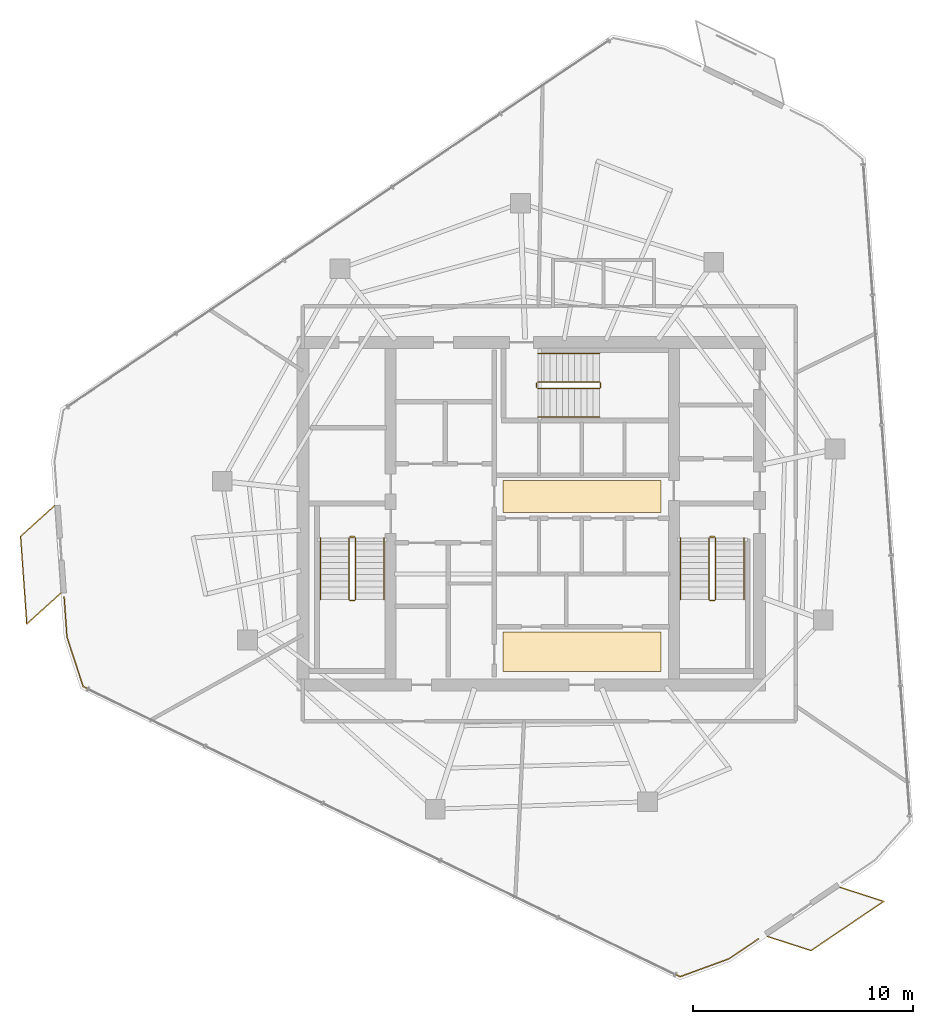
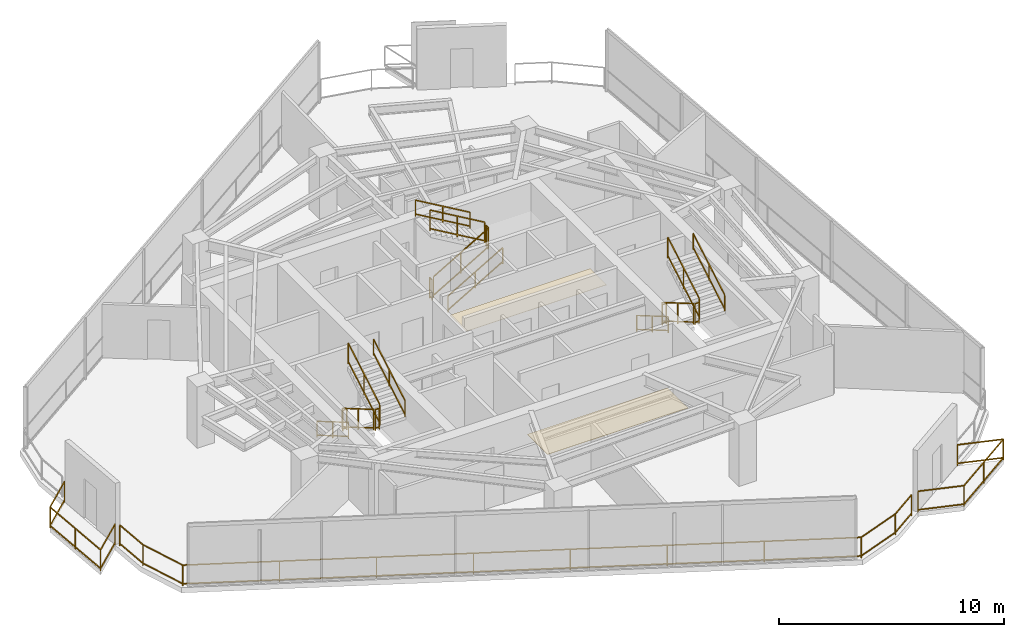
# One storey, part 19 of 20: 21 railings, 2 coverings.
"""IFC4 building model written with IfcOpenShell, lengths in metres."""

from ifc_helpers import new_model, si_unit, direction, frame, origin, origin_2d, place, context, subcontext, project, spatial, rectangle, extrude, material, layer, layer_set, type_object, element, save


model = new_model("IFC4")

# Units and contexts
model_context = context("Model", 3, precision=1e-05, world=origin(), true_north=direction((0.0, 1.0)))
body_context = subcontext(model_context, "Body", "Model", "MODEL_VIEW")
ifc_project = project(units=[si_unit("LENGTHUNIT", "METRE"), si_unit("AREAUNIT", "SQUARE_METRE"), si_unit("VOLUMEUNIT", "CUBIC_METRE"), si_unit("PLANEANGLEUNIT", "RADIAN"), si_unit("MASSUNIT", "GRAM", prefix="KILO")], contexts=[model_context])

# Site, building, storey
site_placement = place(None, origin())
site = spatial("IfcSite", under=ifc_project, at=site_placement, CompositionType="ELEMENT")
building_placement = place(site_placement, origin())
building = spatial("IfcBuilding", under=site, at=building_placement, Name="Qarnah Convention Tower", CompositionType="ELEMENT")
storey_placement = place(building_placement, frame((0.0, 0.0, 195.0)))
storey = spatial("IfcBuildingStorey", under=building, at=storey_placement, Name="L52", CompositionType="ELEMENT", Elevation=195.0)

# Coverings
ifc_material_1 = material(Name="Mineral fibre acoustic ceiling")
ifc_layer_1 = layer(ifc_material_1, 0.02001953125)
ifc_layer_set_1 = layer_set([ifc_layer_1], Name="Mineral fibre acoustic ceiling")
covering_type_1 = type_object("IfcCoveringType", Name="COV-CEIL-20", PredefinedType="CEILING", material=ifc_layer_set_1)
covering_1_placement = place(storey_placement, frame((39.52001953125, 27.179931640625, 2.2900390625), z_axis=(0.0, 0.0, 1.0), x_axis=(1.0, 0.0, 0.0)))
element("IfcCovering", 1, at=covering_1_placement, inside=storey, type_object=covering_type_1, Name="L52 lift lobby acoustic ceiling", PredefinedType="CEILING", context=body_context, shape_type="SweptSolid", body=[
    extrude(rectangle(XDim=7.199951171875, YDim=1.449951171875, at=origin_2d()), origin(), (0.0, 0.0, 1.0), 0.02001953125),
])
ifc_material_2 = material(Name="Porcelain stone floor tile", Category="masonry")
ifc_layer_2 = layer(ifc_material_2, 0.02001953125)
ifc_layer_set_2 = layer_set([ifc_layer_2], Name="Porcelain stone floor tile")
covering_type_2 = type_object("IfcCoveringType", Name="COV-FLOOR-20", PredefinedType="FLOORING", material=ifc_layer_set_2)
covering_2_placement = place(storey_placement, frame((39.52001953125, 20.1201171875, 0.0), z_axis=(0.0, 0.0, 1.0), x_axis=(1.0, 0.0, 0.0)))
element("IfcCovering", 2, at=covering_2_placement, inside=storey, type_object=covering_type_2, Name="L52 lift lobby porcelain stone flooring", PredefinedType="FLOORING", context=body_context, shape_type="SweptSolid", body=[
    extrude(rectangle(XDim=7.199951171875, YDim=1.800048828125, at=origin_2d()), origin(), (0.0, 0.0, 1.0), 0.02001953125),
])

# Railings
ifc_material_3 = material(Name="Black anodised aluminium", Category="aluminium")
railing_type_1 = type_object("IfcRailingType", Name="RL-EXT-GUARD-1150", PredefinedType="GUARDRAIL", material=ifc_material_3)
railing_1_placement = place(storey_placement, frame((47.55810546875, 7.0400390625, 0.0)))
element("IfcRailing", 3, at=railing_1_placement, inside=storey, type_object=railing_type_1, Name="L52 slab-edge perimeter safety guard 03", PredefinedType="GUARDRAIL", context=body_context, shape_type="SweptSolid", body=[
    extrude(rectangle(XDim=0.048095703125, YDim=0.048095703125, at=origin_2d()), frame((0.0, 0.0, 1.1259765625), z_axis=(-0.828434811201, -0.560085496679, 0.0), x_axis=(0.560085496679, -0.828434811201, 0.0)), (0.0, 0.0, 1.0), 1.62841796875),
    extrude(rectangle(XDim=0.048095703125, YDim=0.048095703125, at=origin_2d()), frame((0.0, 0.0, 0.1201171875), z_axis=(-0.828434811201, -0.560085496679, 0.0), x_axis=(0.560085496679, -0.828434811201, 0.0)), (0.0, 0.0, 1.0), 1.62841796875),
    extrude(rectangle(XDim=0.048095703125, YDim=0.048095703125, at=origin_2d()), frame((-1.34912109375, -0.912109375, 1.1259765625), z_axis=(-0.939051507036, -0.343776478448, 0.0), x_axis=(0.343776478448, -0.939051507036, 0.0)), (0.0, 0.0, 1.0), 2.37060546875),
    extrude(rectangle(XDim=0.048095703125, YDim=0.048095703125, at=origin_2d()), frame((-1.34912109375, -0.912109375, 0.1201171875), z_axis=(-0.939051507036, -0.343776478448, 0.0), x_axis=(0.343776478448, -0.939051507036, 0.0)), (0.0, 0.0, 1.0), 2.37060546875),
    extrude(rectangle(XDim=0.048095703125, YDim=0.048095703125, at=origin_2d()), frame((-3.5751953125, -1.72705078125, 1.1259765625), z_axis=(-0.89939704784, 0.437132646157, 0.0), x_axis=(-0.437132646157, -0.89939704784, 0.0)), (0.0, 0.0, 1.0), 30.231201171875),
    extrude(rectangle(XDim=0.048095703125, YDim=0.048095703125, at=origin_2d()), frame((-3.5751953125, -1.72705078125, 0.1201171875), z_axis=(-0.89939704784, 0.437132646157, 0.0), x_axis=(-0.437132646157, -0.89939704784, 0.0)), (0.0, 0.0, 1.0), 30.231201171875),
    extrude(rectangle(XDim=0.048095703125, YDim=0.048095703125, at=origin_2d()), frame((-30.76513671875, 11.488037109375, 1.1259765625), z_axis=(-0.310939262959, 0.950429784229, 0.0), x_axis=(-0.950429784229, -0.310939262959, 0.0)), (0.0, 0.0, 1.0), 2.370361328125),
    extrude(rectangle(XDim=0.048095703125, YDim=0.048095703125, at=origin_2d()), frame((-30.76513671875, 11.488037109375, 0.1201171875), z_axis=(-0.310939262959, 0.950429784229, 0.0), x_axis=(-0.950429784229, -0.310939262959, 0.0)), (0.0, 0.0, 1.0), 2.370361328125),
    extrude(rectangle(XDim=0.048095703125, YDim=0.048095703125, at=origin_2d()), frame((-31.502197265625, 13.740966796875, 1.1259765625), z_axis=(-0.070605679899, 0.997504304736, 0.0), x_axis=(-0.997504304736, -0.070605679899, 0.0)), (0.0, 0.0, 1.0), 1.839599609375),
    extrude(rectangle(XDim=0.048095703125, YDim=0.048095703125, at=origin_2d()), frame((-31.502197265625, 13.740966796875, 0.1201171875), z_axis=(-0.070605679899, 0.997504304736, 0.0), x_axis=(-0.997504304736, -0.070605679899, 0.0)), (0.0, 0.0, 1.0), 1.839599609375),
    extrude(rectangle(XDim=0.0419921875, YDim=0.0419921875, at=origin_2d()), origin(), (0.0, 0.0, 1.0), 1.101806640625),
    extrude(rectangle(XDim=0.0419921875, YDim=0.0419921875, at=origin_2d()), frame((-1.34912109375, -0.912109375, 0.0)), (0.0, 0.0, 1.0), 1.101806640625),
    extrude(rectangle(XDim=0.0419921875, YDim=0.0419921875, at=origin_2d()), frame((-3.5751953125, -1.72705078125, 0.0)), (0.0, 0.0, 1.0), 1.101806640625),
    extrude(rectangle(XDim=0.0419921875, YDim=0.0419921875, at=origin_2d()), frame((-7.45947265625, 0.160888671875, 0.0)), (0.0, 0.0, 1.0), 1.101806640625),
    extrude(rectangle(XDim=0.0419921875, YDim=0.0419921875, at=origin_2d()), frame((-11.34375, 2.048583984375, 0.0)), (0.0, 0.0, 1.0), 1.101806640625),
    extrude(rectangle(XDim=0.0419921875, YDim=0.0419921875, at=origin_2d()), frame((-15.22802734375, 3.9365234375, 0.0)), (0.0, 0.0, 1.0), 1.101806640625),
    extrude(rectangle(XDim=0.0419921875, YDim=0.0419921875, at=origin_2d()), frame((-19.1123046875, 5.824462890625, 0.0)), (0.0, 0.0, 1.0), 1.101806640625),
    extrude(rectangle(XDim=0.0419921875, YDim=0.0419921875, at=origin_2d()), frame((-22.99658203125, 7.71240234375, 0.0)), (0.0, 0.0, 1.0), 1.101806640625),
    extrude(rectangle(XDim=0.0419921875, YDim=0.0419921875, at=origin_2d()), frame((-26.880859375, 9.60009765625, 0.0)), (0.0, 0.0, 1.0), 1.101806640625),
    extrude(rectangle(XDim=0.0419921875, YDim=0.0419921875, at=origin_2d()), frame((-30.76513671875, 11.488037109375, 0.0)), (0.0, 0.0, 1.0), 1.101806640625),
    extrude(rectangle(XDim=0.0419921875, YDim=0.0419921875, at=origin_2d()), frame((-31.502197265625, 13.740966796875, 0.0)), (0.0, 0.0, 1.0), 1.101806640625),
    extrude(rectangle(XDim=0.0419921875, YDim=0.0419921875, at=origin_2d()), frame((-31.632080078125, 15.575927734375, 0.0)), (0.0, 0.0, 1.0), 1.101806640625),
])
railing_2_placement = place(storey_placement, frame((15.779052734375, 22.780029296875, 0.0)))
element("IfcRailing", 4, at=railing_2_placement, inside=storey, type_object=railing_type_1, Name="L52 balcony safety guard BAL-L52-C2", PredefinedType="GUARDRAIL", context=body_context, shape_type="SweptSolid", body=[
    extrude(rectangle(XDim=0.048095703125, YDim=0.048095703125, at=origin_2d()), frame((0.0, 0.0, 1.1259765625), z_axis=(-0.742220510614, -0.670155738335, 0.0), x_axis=(0.670155738335, -0.742220510614, 0.0)), (0.0, 0.0, 1.0), 2.09375),
    extrude(rectangle(XDim=0.048095703125, YDim=0.048095703125, at=origin_2d()), frame((0.0, 0.0, 0.1201171875), z_axis=(-0.742220510614, -0.670155738335, 0.0), x_axis=(0.670155738335, -0.742220510614, 0.0)), (0.0, 0.0, 1.0), 2.09375),
    extrude(rectangle(XDim=0.048095703125, YDim=0.048095703125, at=origin_2d()), frame((-1.553955078125, -1.403076171875, 1.1259765625), z_axis=(-0.071286086018, 0.997455910775, 0.0), x_axis=(-0.997455910775, -0.071286086018, 0.0)), (0.0, 0.0, 1.0), 4.000244140625),
    extrude(rectangle(XDim=0.048095703125, YDim=0.048095703125, at=origin_2d()), frame((-1.553955078125, -1.403076171875, 0.1201171875), z_axis=(-0.071286086018, 0.997455910775, 0.0), x_axis=(-0.997455910775, -0.071286086018, 0.0)), (0.0, 0.0, 1.0), 4.000244140625),
    extrude(rectangle(XDim=0.048095703125, YDim=0.048095703125, at=origin_2d()), frame((-1.839111328125, 2.5869140625, 1.1259765625), z_axis=(0.742220510614, 0.670155738335, 0.0), x_axis=(-0.670155738335, 0.742220510614, 0.0)), (0.0, 0.0, 1.0), 2.09375),
    extrude(rectangle(XDim=0.048095703125, YDim=0.048095703125, at=origin_2d()), frame((-1.839111328125, 2.5869140625, 0.1201171875), z_axis=(0.742220510614, 0.670155738335, 0.0), x_axis=(-0.670155738335, 0.742220510614, 0.0)), (0.0, 0.0, 1.0), 2.09375),
    extrude(rectangle(XDim=0.0419921875, YDim=0.0419921875, at=origin_2d()), origin(), (0.0, 0.0, 1.0), 1.101806640625),
    extrude(rectangle(XDim=0.0419921875, YDim=0.0419921875, at=origin_2d()), frame((-1.553955078125, -1.403076171875, 0.0)), (0.0, 0.0, 1.0), 1.101806640625),
    extrude(rectangle(XDim=0.0419921875, YDim=0.0419921875, at=origin_2d()), frame((-1.696533203125, 0.591796875, 0.0)), (0.0, 0.0, 1.0), 1.101806640625),
    extrude(rectangle(XDim=0.0419921875, YDim=0.0419921875, at=origin_2d()), frame((-1.839111328125, 2.5869140625, 0.0)), (0.0, 0.0, 1.0), 1.101806640625),
    extrude(rectangle(XDim=0.0419921875, YDim=0.0419921875, at=origin_2d()), frame((-0.28515625, 3.989990234375, 0.0)), (0.0, 0.0, 1.0), 1.101806640625),
])
railing_3_placement = place(storey_placement, frame((51.26611328125, 9.385009765625, 0.0)))
element("IfcRailing", 5, at=railing_3_placement, inside=storey, type_object=railing_type_1, Name="L52 balcony safety guard BAL-L52-C3", PredefinedType="GUARDRAIL", context=body_context, shape_type="SweptSolid", body=[
    extrude(rectangle(XDim=0.048095703125, YDim=0.048095703125, at=origin_2d()), frame((0.0, 0.0, 1.1259765625), z_axis=(0.951501761825, -0.307643295464, 0.0), x_axis=(0.307643295464, 0.951501761825, 0.0)), (0.0, 0.0, 1.0), 2.093505859375),
    extrude(rectangle(XDim=0.048095703125, YDim=0.048095703125, at=origin_2d()), frame((0.0, 0.0, 0.1201171875), z_axis=(0.951501761825, -0.307643295464, 0.0), x_axis=(0.307643295464, 0.951501761825, 0.0)), (0.0, 0.0, 1.0), 2.093505859375),
    extrude(rectangle(XDim=0.048095703125, YDim=0.048095703125, at=origin_2d()), frame((1.991943359375, -0.64404296875, 1.1259765625), z_axis=(-0.82830340886, -0.560279807659, 0.0), x_axis=(0.560279807659, -0.82830340886, 0.0)), (0.0, 0.0, 1.0), 3.999755859375),
    extrude(rectangle(XDim=0.048095703125, YDim=0.048095703125, at=origin_2d()), frame((1.991943359375, -0.64404296875, 0.1201171875), z_axis=(-0.82830340886, -0.560279807659, 0.0), x_axis=(0.560279807659, -0.82830340886, 0.0)), (0.0, 0.0, 1.0), 3.999755859375),
    extrude(rectangle(XDim=0.048095703125, YDim=0.048095703125, at=origin_2d()), frame((-1.321044921875, -2.885009765625, 1.1259765625), z_axis=(-0.951512797408, 0.307609161711, 0.0), x_axis=(-0.307609161711, -0.951512797408, 0.0)), (0.0, 0.0, 1.0), 2.09375),
    extrude(rectangle(XDim=0.048095703125, YDim=0.048095703125, at=origin_2d()), frame((-1.321044921875, -2.885009765625, 0.1201171875), z_axis=(-0.951512797408, 0.307609161711, 0.0), x_axis=(-0.307609161711, -0.951512797408, 0.0)), (0.0, 0.0, 1.0), 2.09375),
    extrude(rectangle(XDim=0.0419921875, YDim=0.0419921875, at=origin_2d()), origin(), (0.0, 0.0, 1.0), 1.101806640625),
    extrude(rectangle(XDim=0.0419921875, YDim=0.0419921875, at=origin_2d()), frame((1.991943359375, -0.64404296875, 0.0)), (0.0, 0.0, 1.0), 1.101806640625),
    extrude(rectangle(XDim=0.0419921875, YDim=0.0419921875, at=origin_2d()), frame((0.33544921875, -1.7646484375, 0.0)), (0.0, 0.0, 1.0), 1.101806640625),
    extrude(rectangle(XDim=0.0419921875, YDim=0.0419921875, at=origin_2d()), frame((-1.321044921875, -2.885009765625, 0.0)), (0.0, 0.0, 1.0), 1.101806640625),
    extrude(rectangle(XDim=0.0419921875, YDim=0.0419921875, at=origin_2d()), frame((-3.313232421875, -2.240966796875, 0.0)), (0.0, 0.0, 1.0), 1.101806640625),
])
ifc_material_4 = material(Name="Structural steel S355JR", Category="steel")
railing_type_2 = type_object("IfcRailingType", Name="RL-STAIR-GUARD-1150", PredefinedType="GUARDRAIL", material=ifc_material_4)
railing_4_placement = place(storey_placement, frame((28.89990234375, 25.300048828125, 0.16357421875)))
element("IfcRailing", 6, at=railing_4_placement, inside=storey, type_object=railing_type_2, Name="L52 ST-1 stair guard 1", PredefinedType="GUARDRAIL", context=body_context, shape_type="SweptSolid", body=[
    extrude(rectangle(XDim=0.048095703125, YDim=0.048095703125, at=origin_2d()), frame((0.0, 0.0, 1.1259765625), z_axis=(0.0, -0.863360870873, 0.504586966384), x_axis=(1.0, 0.0, 0.0)), (0.0, 0.0, 1.0), 3.2431640625),
    extrude(rectangle(XDim=0.048095703125, YDim=0.048095703125, at=origin_2d()), frame((0.0, 0.0, 0.1201171875), z_axis=(0.0, -0.863360870873, 0.504586966384), x_axis=(1.0, 0.0, 0.0)), (0.0, 0.0, 1.0), 3.2431640625),
    extrude(rectangle(XDim=0.0419921875, YDim=0.0419921875, at=origin_2d()), origin(), (0.0, 0.0, 1.0), 1.101806640625),
    extrude(rectangle(XDim=0.0419921875, YDim=0.0419921875, at=origin_2d()), frame((0.0, -1.39990234375, 0.818359375)), (0.0, 0.0, 1.0), 1.101806640625),
    extrude(rectangle(XDim=0.0419921875, YDim=0.0419921875, at=origin_2d()), frame((0.0, -2.800048828125, 1.636474609375)), (0.0, 0.0, 1.0), 1.101806640625),
])
railing_5_placement = place(storey_placement, frame((28.949951171875, 22.449951171875, 1.800048828125)))
element("IfcRailing", 7, at=railing_5_placement, inside=storey, type_object=railing_type_2, Name="L52 ST-1 stair guard 2", PredefinedType="GUARDRAIL", context=body_context, shape_type="SweptSolid", body=[
    extrude(rectangle(XDim=0.048095703125, YDim=0.048095703125, at=origin_2d()), frame((0.0, 0.0, 1.1259765625), z_axis=(1.0, 0.0, 0.0), x_axis=(0.0, 1.0, 0.0)), (0.0, 0.0, 1.0), 0.199951171875),
    extrude(rectangle(XDim=0.048095703125, YDim=0.048095703125, at=origin_2d()), frame((0.0, 0.0, 0.1201171875), z_axis=(1.0, 0.0, 0.0), x_axis=(0.0, 1.0, 0.0)), (0.0, 0.0, 1.0), 0.199951171875),
    extrude(rectangle(XDim=0.0419921875, YDim=0.0419921875, at=origin_2d()), origin(), (0.0, 0.0, 1.0), 1.101806640625),
    extrude(rectangle(XDim=0.0419921875, YDim=0.0419921875, at=origin_2d()), frame((0.199951171875, 0.0, 0.0)), (0.0, 0.0, 1.0), 1.101806640625),
])
railing_6_placement = place(storey_placement, frame((29.199951171875, 22.5, 1.963623046875)))
element("IfcRailing", 8, at=railing_6_placement, inside=storey, type_object=railing_type_2, Name="L52 ST-1 stair guard 3", PredefinedType="GUARDRAIL", context=body_context, shape_type="SweptSolid", body=[
    extrude(rectangle(XDim=0.048095703125, YDim=0.048095703125, at=origin_2d()), frame((0.0, 0.0, 1.1259765625), z_axis=(0.0, 0.863360870873, 0.504586966384), x_axis=(-1.0, 0.0, 0.0)), (0.0, 0.0, 1.0), 3.2431640625),
    extrude(rectangle(XDim=0.048095703125, YDim=0.048095703125, at=origin_2d()), frame((0.0, 0.0, 0.1201171875), z_axis=(0.0, 0.863360870873, 0.504586966384), x_axis=(-1.0, 0.0, 0.0)), (0.0, 0.0, 1.0), 3.2431640625),
    extrude(rectangle(XDim=0.0419921875, YDim=0.0419921875, at=origin_2d()), origin(), (0.0, 0.0, 1.0), 1.101806640625),
    extrude(rectangle(XDim=0.0419921875, YDim=0.0419921875, at=origin_2d()), frame((0.0, 1.39990234375, 0.818359375)), (0.0, 0.0, 1.0), 1.101806640625),
    extrude(rectangle(XDim=0.0419921875, YDim=0.0419921875, at=origin_2d()), frame((0.0, 2.800048828125, 1.636474609375)), (0.0, 0.0, 1.0), 1.101806640625),
])
railing_7_placement = place(storey_placement, frame((28.949951171875, 25.35009765625, 0.0)))
element("IfcRailing", 9, at=railing_7_placement, inside=storey, type_object=railing_type_2, Name="L52 ST-1 stair guard 4", PredefinedType="GUARDRAIL", context=body_context, shape_type="SweptSolid", body=[
    extrude(rectangle(XDim=0.048095703125, YDim=0.048095703125, at=origin_2d()), frame((0.0, 0.0, 1.1259765625), z_axis=(1.0, 0.0, 0.0), x_axis=(0.0, 1.0, 0.0)), (0.0, 0.0, 1.0), 0.199951171875),
    extrude(rectangle(XDim=0.048095703125, YDim=0.048095703125, at=origin_2d()), frame((0.0, 0.0, 0.1201171875), z_axis=(1.0, 0.0, 0.0), x_axis=(0.0, 1.0, 0.0)), (0.0, 0.0, 1.0), 0.199951171875),
    extrude(rectangle(XDim=0.0419921875, YDim=0.0419921875, at=origin_2d()), origin(), (0.0, 0.0, 1.0), 1.101806640625),
    extrude(rectangle(XDim=0.0419921875, YDim=0.0419921875, at=origin_2d()), frame((0.199951171875, 0.0, 0.0)), (0.0, 0.0, 1.0), 1.101806640625),
])
railing_8_placement = place(storey_placement, frame((45.300048828125, 25.300048828125, 0.16357421875)))
element("IfcRailing", 10, at=railing_8_placement, inside=storey, type_object=railing_type_2, Name="L52 ST-2 stair guard 1", PredefinedType="GUARDRAIL", context=body_context, shape_type="SweptSolid", body=[
    extrude(rectangle(XDim=0.048095703125, YDim=0.048095703125, at=origin_2d()), frame((0.0, 0.0, 1.1259765625), z_axis=(0.0, -0.863360870873, 0.504586966384), x_axis=(1.0, 0.0, 0.0)), (0.0, 0.0, 1.0), 3.2431640625),
    extrude(rectangle(XDim=0.048095703125, YDim=0.048095703125, at=origin_2d()), frame((0.0, 0.0, 0.1201171875), z_axis=(0.0, -0.863360870873, 0.504586966384), x_axis=(1.0, 0.0, 0.0)), (0.0, 0.0, 1.0), 3.2431640625),
    extrude(rectangle(XDim=0.0419921875, YDim=0.0419921875, at=origin_2d()), origin(), (0.0, 0.0, 1.0), 1.101806640625),
    extrude(rectangle(XDim=0.0419921875, YDim=0.0419921875, at=origin_2d()), frame((0.0, -1.39990234375, 0.818359375)), (0.0, 0.0, 1.0), 1.101806640625),
    extrude(rectangle(XDim=0.0419921875, YDim=0.0419921875, at=origin_2d()), frame((0.0, -2.800048828125, 1.636474609375)), (0.0, 0.0, 1.0), 1.101806640625),
])
railing_9_placement = place(storey_placement, frame((45.35009765625, 22.449951171875, 1.800048828125)))
element("IfcRailing", 11, at=railing_9_placement, inside=storey, type_object=railing_type_2, Name="L52 ST-2 stair guard 2", PredefinedType="GUARDRAIL", context=body_context, shape_type="SweptSolid", body=[
    extrude(rectangle(XDim=0.048095703125, YDim=0.048095703125, at=origin_2d()), frame((0.0, 0.0, 1.1259765625), z_axis=(1.0, 0.0, 0.0), x_axis=(0.0, 1.0, 0.0)), (0.0, 0.0, 1.0), 0.199951171875),
    extrude(rectangle(XDim=0.048095703125, YDim=0.048095703125, at=origin_2d()), frame((0.0, 0.0, 0.1201171875), z_axis=(1.0, 0.0, 0.0), x_axis=(0.0, 1.0, 0.0)), (0.0, 0.0, 1.0), 0.199951171875),
    extrude(rectangle(XDim=0.0419921875, YDim=0.0419921875, at=origin_2d()), origin(), (0.0, 0.0, 1.0), 1.101806640625),
    extrude(rectangle(XDim=0.0419921875, YDim=0.0419921875, at=origin_2d()), frame((0.199951171875, 0.0, 0.0)), (0.0, 0.0, 1.0), 1.101806640625),
])
railing_10_placement = place(storey_placement, frame((45.60009765625, 22.5, 1.963623046875)))
element("IfcRailing", 12, at=railing_10_placement, inside=storey, type_object=railing_type_2, Name="L52 ST-2 stair guard 3", PredefinedType="GUARDRAIL", context=body_context, shape_type="SweptSolid", body=[
    extrude(rectangle(XDim=0.048095703125, YDim=0.048095703125, at=origin_2d()), frame((0.0, 0.0, 1.1259765625), z_axis=(0.0, 0.863360870873, 0.504586966384), x_axis=(-1.0, 0.0, 0.0)), (0.0, 0.0, 1.0), 3.2431640625),
    extrude(rectangle(XDim=0.048095703125, YDim=0.048095703125, at=origin_2d()), frame((0.0, 0.0, 0.1201171875), z_axis=(0.0, 0.863360870873, 0.504586966384), x_axis=(-1.0, 0.0, 0.0)), (0.0, 0.0, 1.0), 3.2431640625),
    extrude(rectangle(XDim=0.0419921875, YDim=0.0419921875, at=origin_2d()), origin(), (0.0, 0.0, 1.0), 1.101806640625),
    extrude(rectangle(XDim=0.0419921875, YDim=0.0419921875, at=origin_2d()), frame((0.0, 1.39990234375, 0.818359375)), (0.0, 0.0, 1.0), 1.101806640625),
    extrude(rectangle(XDim=0.0419921875, YDim=0.0419921875, at=origin_2d()), frame((0.0, 2.800048828125, 1.636474609375)), (0.0, 0.0, 1.0), 1.101806640625),
])
railing_11_placement = place(storey_placement, frame((45.35009765625, 25.35009765625, 0.0)))
element("IfcRailing", 13, at=railing_11_placement, inside=storey, type_object=railing_type_2, Name="L52 ST-2 stair guard 4", PredefinedType="GUARDRAIL", context=body_context, shape_type="SweptSolid", body=[
    extrude(rectangle(XDim=0.048095703125, YDim=0.048095703125, at=origin_2d()), frame((0.0, 0.0, 1.1259765625), z_axis=(1.0, 0.0, 0.0), x_axis=(0.0, 1.0, 0.0)), (0.0, 0.0, 1.0), 0.199951171875),
    extrude(rectangle(XDim=0.048095703125, YDim=0.048095703125, at=origin_2d()), frame((0.0, 0.0, 0.1201171875), z_axis=(1.0, 0.0, 0.0), x_axis=(0.0, 1.0, 0.0)), (0.0, 0.0, 1.0), 0.199951171875),
    extrude(rectangle(XDim=0.0419921875, YDim=0.0419921875, at=origin_2d()), origin(), (0.0, 0.0, 1.0), 1.101806640625),
    extrude(rectangle(XDim=0.0419921875, YDim=0.0419921875, at=origin_2d()), frame((0.199951171875, 0.0, 0.0)), (0.0, 0.0, 1.0), 1.101806640625),
])
railing_12_placement = place(storey_placement, frame((37.5, 32.10009765625, 0.16357421875)))
element("IfcRailing", 14, at=railing_12_placement, inside=storey, type_object=railing_type_2, Name="L52 ST-3 stair guard 1", PredefinedType="GUARDRAIL", context=body_context, shape_type="SweptSolid", body=[
    extrude(rectangle(XDim=0.048095703125, YDim=0.048095703125, at=origin_2d()), frame((0.0, 0.0, 1.1259765625), z_axis=(0.863360870873, 0.0, 0.504586966384), x_axis=(0.0, 1.0, 0.0)), (0.0, 0.0, 1.0), 3.2431640625),
    extrude(rectangle(XDim=0.048095703125, YDim=0.048095703125, at=origin_2d()), frame((0.0, 0.0, 0.1201171875), z_axis=(0.863360870873, 0.0, 0.504586966384), x_axis=(0.0, 1.0, 0.0)), (0.0, 0.0, 1.0), 3.2431640625),
    extrude(rectangle(XDim=0.0419921875, YDim=0.0419921875, at=origin_2d()), origin(), (0.0, 0.0, 1.0), 1.101806640625),
    extrude(rectangle(XDim=0.0419921875, YDim=0.0419921875, at=origin_2d()), frame((1.39990234375, 0.0, 0.818359375)), (0.0, 0.0, 1.0), 1.101806640625),
    extrude(rectangle(XDim=0.0419921875, YDim=0.0419921875, at=origin_2d()), frame((2.800048828125, 0.0, 1.636474609375)), (0.0, 0.0, 1.0), 1.101806640625),
])
railing_13_placement = place(storey_placement, frame((40.35009765625, 32.14990234375, 1.800048828125)))
element("IfcRailing", 15, at=railing_13_placement, inside=storey, type_object=railing_type_2, Name="L52 ST-3 stair guard 2", PredefinedType="GUARDRAIL", context=body_context, shape_type="SweptSolid", body=[
    extrude(rectangle(XDim=0.048095703125, YDim=0.048095703125, at=origin_2d()), frame((0.0, 0.0, 1.1259765625), z_axis=(0.0, 1.0, 0.0), x_axis=(-1.0, 0.0, 0.0)), (0.0, 0.0, 1.0), 0.2001953125),
    extrude(rectangle(XDim=0.048095703125, YDim=0.048095703125, at=origin_2d()), frame((0.0, 0.0, 0.1201171875), z_axis=(0.0, 1.0, 0.0), x_axis=(-1.0, 0.0, 0.0)), (0.0, 0.0, 1.0), 0.2001953125),
    extrude(rectangle(XDim=0.0419921875, YDim=0.0419921875, at=origin_2d()), origin(), (0.0, 0.0, 1.0), 1.101806640625),
    extrude(rectangle(XDim=0.0419921875, YDim=0.0419921875, at=origin_2d()), frame((0.0, 0.2001953125, 0.0)), (0.0, 0.0, 1.0), 1.101806640625),
])
railing_14_placement = place(storey_placement, frame((40.300048828125, 32.39990234375, 1.963623046875)))
element("IfcRailing", 16, at=railing_14_placement, inside=storey, type_object=railing_type_2, Name="L52 ST-3 stair guard 3", PredefinedType="GUARDRAIL", context=body_context, shape_type="SweptSolid", body=[
    extrude(rectangle(XDim=0.048095703125, YDim=0.048095703125, at=origin_2d()), frame((0.0, 0.0, 1.1259765625), z_axis=(-0.863360870873, 0.0, 0.504586966384), x_axis=(0.0, -1.0, 0.0)), (0.0, 0.0, 1.0), 3.2431640625),
    extrude(rectangle(XDim=0.048095703125, YDim=0.048095703125, at=origin_2d()), frame((0.0, 0.0, 0.1201171875), z_axis=(-0.863360870873, 0.0, 0.504586966384), x_axis=(0.0, -1.0, 0.0)), (0.0, 0.0, 1.0), 3.2431640625),
    extrude(rectangle(XDim=0.0419921875, YDim=0.0419921875, at=origin_2d()), origin(), (0.0, 0.0, 1.0), 1.101806640625),
    extrude(rectangle(XDim=0.0419921875, YDim=0.0419921875, at=origin_2d()), frame((-1.39990234375, 0.0, 0.818359375)), (0.0, 0.0, 1.0), 1.101806640625),
    extrude(rectangle(XDim=0.0419921875, YDim=0.0419921875, at=origin_2d()), frame((-2.800048828125, 0.0, 1.636474609375)), (0.0, 0.0, 1.0), 1.101806640625),
])
railing_15_placement = place(storey_placement, frame((37.449951171875, 32.14990234375, 0.0)))
element("IfcRailing", 17, at=railing_15_placement, inside=storey, type_object=railing_type_2, Name="L52 ST-3 stair guard 4", PredefinedType="GUARDRAIL", context=body_context, shape_type="SweptSolid", body=[
    extrude(rectangle(XDim=0.048095703125, YDim=0.048095703125, at=origin_2d()), frame((0.0, 0.0, 1.1259765625), z_axis=(0.0, 1.0, 0.0), x_axis=(-1.0, 0.0, 0.0)), (0.0, 0.0, 1.0), 0.2001953125),
    extrude(rectangle(XDim=0.048095703125, YDim=0.048095703125, at=origin_2d()), frame((0.0, 0.0, 0.1201171875), z_axis=(0.0, 1.0, 0.0), x_axis=(-1.0, 0.0, 0.0)), (0.0, 0.0, 1.0), 0.2001953125),
    extrude(rectangle(XDim=0.0419921875, YDim=0.0419921875, at=origin_2d()), origin(), (0.0, 0.0, 1.0), 1.101806640625),
    extrude(rectangle(XDim=0.0419921875, YDim=0.0419921875, at=origin_2d()), frame((0.0, 0.2001953125, 0.0)), (0.0, 0.0, 1.0), 1.101806640625),
])
railing_type_3 = type_object("IfcRailingType", Name="RL-STAIR-HAND-900", PredefinedType="HANDRAIL", material=ifc_material_4)
railing_16_placement = place(storey_placement, frame((27.60009765625, 25.300048828125, 0.16357421875)))
element("IfcRailing", 18, at=railing_16_placement, inside=storey, type_object=railing_type_3, Name="L52 ST-1 stair handrail 1", PredefinedType="HANDRAIL", context=body_context, shape_type="SweptSolid", body=[
    extrude(rectangle(XDim=0.048095703125, YDim=0.048095703125, at=origin_2d()), frame((0.0, 0.0, 0.8759765625), z_axis=(0.0, -0.863360870873, 0.504586966384), x_axis=(1.0, 0.0, 0.0)), (0.0, 0.0, 1.0), 3.2431640625),
    extrude(rectangle(XDim=0.048095703125, YDim=0.048095703125, at=origin_2d()), frame((0.0, 0.0, 0.1201171875), z_axis=(0.0, -0.863360870873, 0.504586966384), x_axis=(1.0, 0.0, 0.0)), (0.0, 0.0, 1.0), 3.2431640625),
    extrude(rectangle(XDim=0.0419921875, YDim=0.0419921875, at=origin_2d()), origin(), (0.0, 0.0, 1.0), 0.851806640625),
    extrude(rectangle(XDim=0.0419921875, YDim=0.0419921875, at=origin_2d()), frame((0.0, -1.39990234375, 0.818359375)), (0.0, 0.0, 1.0), 0.851806640625),
    extrude(rectangle(XDim=0.0419921875, YDim=0.0419921875, at=origin_2d()), frame((0.0, -2.800048828125, 1.636474609375)), (0.0, 0.0, 1.0), 0.851806640625),
])
railing_17_placement = place(storey_placement, frame((30.5, 22.5, 1.963623046875)))
element("IfcRailing", 19, at=railing_17_placement, inside=storey, type_object=railing_type_3, Name="L52 ST-1 stair handrail 2", PredefinedType="HANDRAIL", context=body_context, shape_type="SweptSolid", body=[
    extrude(rectangle(XDim=0.048095703125, YDim=0.048095703125, at=origin_2d()), frame((0.0, 0.0, 0.8759765625), z_axis=(0.0, 0.863360870873, 0.504586966384), x_axis=(-1.0, 0.0, 0.0)), (0.0, 0.0, 1.0), 3.2431640625),
    extrude(rectangle(XDim=0.048095703125, YDim=0.048095703125, at=origin_2d()), frame((0.0, 0.0, 0.1201171875), z_axis=(0.0, 0.863360870873, 0.504586966384), x_axis=(-1.0, 0.0, 0.0)), (0.0, 0.0, 1.0), 3.2431640625),
    extrude(rectangle(XDim=0.0419921875, YDim=0.0419921875, at=origin_2d()), origin(), (0.0, 0.0, 1.0), 0.851806640625),
    extrude(rectangle(XDim=0.0419921875, YDim=0.0419921875, at=origin_2d()), frame((0.0, 1.39990234375, 0.818359375)), (0.0, 0.0, 1.0), 0.851806640625),
    extrude(rectangle(XDim=0.0419921875, YDim=0.0419921875, at=origin_2d()), frame((0.0, 2.800048828125, 1.636474609375)), (0.0, 0.0, 1.0), 0.851806640625),
])
railing_18_placement = place(storey_placement, frame((44.0, 25.300048828125, 0.16357421875)))
element("IfcRailing", 20, at=railing_18_placement, inside=storey, type_object=railing_type_3, Name="L52 ST-2 stair handrail 1", PredefinedType="HANDRAIL", context=body_context, shape_type="SweptSolid", body=[
    extrude(rectangle(XDim=0.048095703125, YDim=0.048095703125, at=origin_2d()), frame((0.0, 0.0, 0.8759765625), z_axis=(0.0, -0.863360870873, 0.504586966384), x_axis=(1.0, 0.0, 0.0)), (0.0, 0.0, 1.0), 3.2431640625),
    extrude(rectangle(XDim=0.048095703125, YDim=0.048095703125, at=origin_2d()), frame((0.0, 0.0, 0.1201171875), z_axis=(0.0, -0.863360870873, 0.504586966384), x_axis=(1.0, 0.0, 0.0)), (0.0, 0.0, 1.0), 3.2431640625),
    extrude(rectangle(XDim=0.0419921875, YDim=0.0419921875, at=origin_2d()), origin(), (0.0, 0.0, 1.0), 0.851806640625),
    extrude(rectangle(XDim=0.0419921875, YDim=0.0419921875, at=origin_2d()), frame((0.0, -1.39990234375, 0.818359375)), (0.0, 0.0, 1.0), 0.851806640625),
    extrude(rectangle(XDim=0.0419921875, YDim=0.0419921875, at=origin_2d()), frame((0.0, -2.800048828125, 1.636474609375)), (0.0, 0.0, 1.0), 0.851806640625),
])
railing_19_placement = place(storey_placement, frame((46.89990234375, 22.5, 1.963623046875)))
element("IfcRailing", 21, at=railing_19_placement, inside=storey, type_object=railing_type_3, Name="L52 ST-2 stair handrail 2", PredefinedType="HANDRAIL", context=body_context, shape_type="SweptSolid", body=[
    extrude(rectangle(XDim=0.048095703125, YDim=0.048095703125, at=origin_2d()), frame((0.0, 0.0, 0.8759765625), z_axis=(0.0, 0.863360870873, 0.504586966384), x_axis=(-1.0, 0.0, 0.0)), (0.0, 0.0, 1.0), 3.2431640625),
    extrude(rectangle(XDim=0.048095703125, YDim=0.048095703125, at=origin_2d()), frame((0.0, 0.0, 0.1201171875), z_axis=(0.0, 0.863360870873, 0.504586966384), x_axis=(-1.0, 0.0, 0.0)), (0.0, 0.0, 1.0), 3.2431640625),
    extrude(rectangle(XDim=0.0419921875, YDim=0.0419921875, at=origin_2d()), origin(), (0.0, 0.0, 1.0), 0.851806640625),
    extrude(rectangle(XDim=0.0419921875, YDim=0.0419921875, at=origin_2d()), frame((0.0, 1.39990234375, 0.818359375)), (0.0, 0.0, 1.0), 0.851806640625),
    extrude(rectangle(XDim=0.0419921875, YDim=0.0419921875, at=origin_2d()), frame((0.0, 2.800048828125, 1.636474609375)), (0.0, 0.0, 1.0), 0.851806640625),
])
railing_20_placement = place(storey_placement, frame((37.5, 30.800048828125, 0.16357421875)))
element("IfcRailing", 22, at=railing_20_placement, inside=storey, type_object=railing_type_3, Name="L52 ST-3 stair handrail 1", PredefinedType="HANDRAIL", context=body_context, shape_type="SweptSolid", body=[
    extrude(rectangle(XDim=0.048095703125, YDim=0.048095703125, at=origin_2d()), frame((0.0, 0.0, 0.8759765625), z_axis=(0.863360870873, 0.0, 0.504586966384), x_axis=(0.0, 1.0, 0.0)), (0.0, 0.0, 1.0), 3.2431640625),
    extrude(rectangle(XDim=0.048095703125, YDim=0.048095703125, at=origin_2d()), frame((0.0, 0.0, 0.1201171875), z_axis=(0.863360870873, 0.0, 0.504586966384), x_axis=(0.0, 1.0, 0.0)), (0.0, 0.0, 1.0), 3.2431640625),
    extrude(rectangle(XDim=0.0419921875, YDim=0.0419921875, at=origin_2d()), origin(), (0.0, 0.0, 1.0), 0.851806640625),
    extrude(rectangle(XDim=0.0419921875, YDim=0.0419921875, at=origin_2d()), frame((1.39990234375, 0.0, 0.818359375)), (0.0, 0.0, 1.0), 0.851806640625),
    extrude(rectangle(XDim=0.0419921875, YDim=0.0419921875, at=origin_2d()), frame((2.800048828125, 0.0, 1.636474609375)), (0.0, 0.0, 1.0), 0.851806640625),
])
railing_21_placement = place(storey_placement, frame((40.300048828125, 33.699951171875, 1.963623046875)))
element("IfcRailing", 23, at=railing_21_placement, inside=storey, type_object=railing_type_3, Name="L52 ST-3 stair handrail 2", PredefinedType="HANDRAIL", context=body_context, shape_type="SweptSolid", body=[
    extrude(rectangle(XDim=0.048095703125, YDim=0.048095703125, at=origin_2d()), frame((0.0, 0.0, 0.8759765625), z_axis=(-0.863360870873, 0.0, 0.504586966384), x_axis=(0.0, -1.0, 0.0)), (0.0, 0.0, 1.0), 3.2431640625),
    extrude(rectangle(XDim=0.048095703125, YDim=0.048095703125, at=origin_2d()), frame((0.0, 0.0, 0.1201171875), z_axis=(-0.863360870873, 0.0, 0.504586966384), x_axis=(0.0, -1.0, 0.0)), (0.0, 0.0, 1.0), 3.2431640625),
    extrude(rectangle(XDim=0.0419921875, YDim=0.0419921875, at=origin_2d()), origin(), (0.0, 0.0, 1.0), 0.851806640625),
    extrude(rectangle(XDim=0.0419921875, YDim=0.0419921875, at=origin_2d()), frame((-1.39990234375, 0.0, 0.818359375)), (0.0, 0.0, 1.0), 0.851806640625),
    extrude(rectangle(XDim=0.0419921875, YDim=0.0419921875, at=origin_2d()), frame((-2.800048828125, 0.0, 1.636474609375)), (0.0, 0.0, 1.0), 0.851806640625),
])

save(model, "model.ifc")
